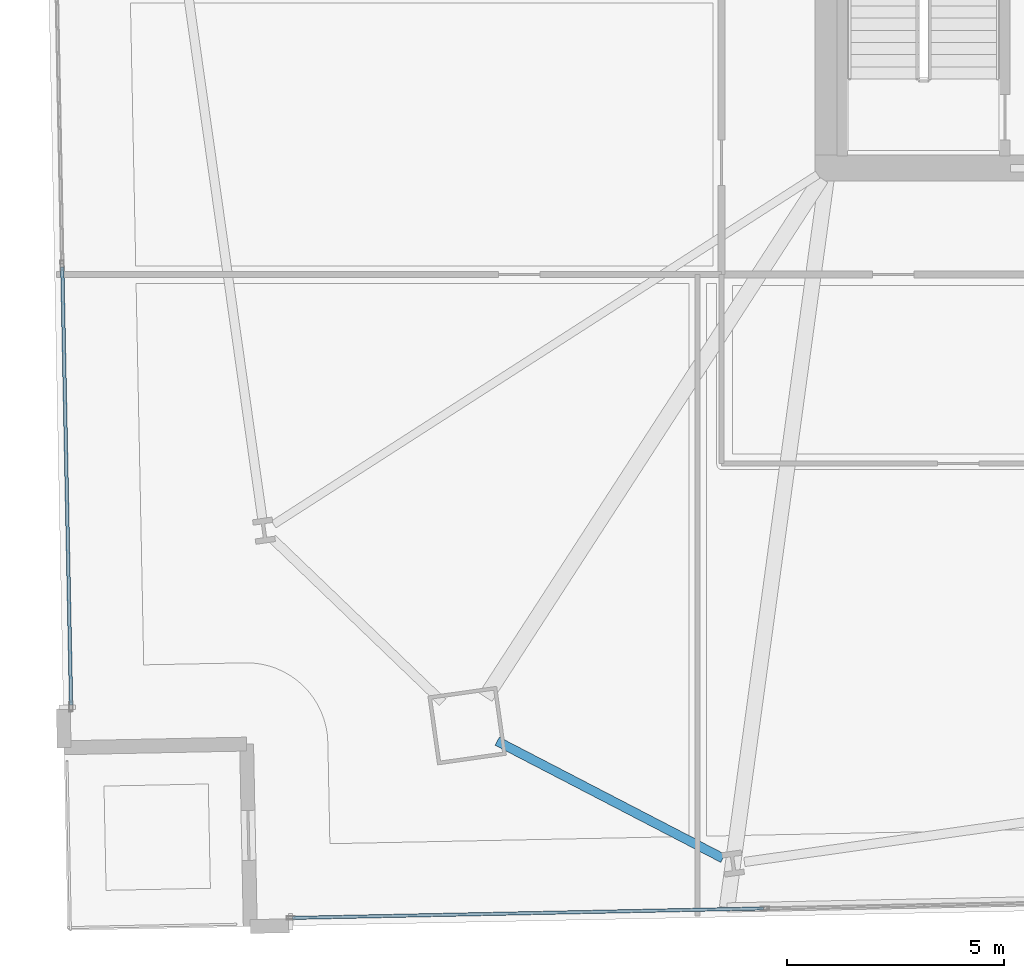
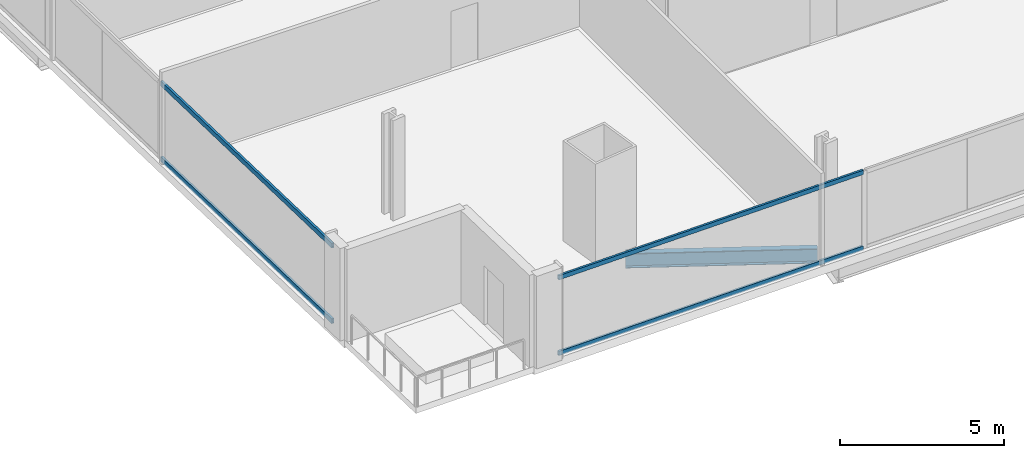
# One storey, part 3 of 35: 4 members, 1 beam, 2 elements without a shape of their own.
"""IFC4 building model written with IfcOpenShell, lengths in metres."""

from ifc_helpers import new_model, si_unit, direction, frame, origin, origin_2d, place, context, subcontext, project, spatial, hollow_rectangle, i_section, extrude, material, material_profile, profile_set, type_object, element, aggregate, save


model = new_model("IFC4")

# Units and contexts
model_context = context("Model", 3, precision=1e-05, world=origin(), true_north=direction((0.0, 1.0)))
body_context = subcontext(model_context, "Body", "Model", "MODEL_VIEW")
ifc_project = project(units=[si_unit("LENGTHUNIT", "METRE"), si_unit("AREAUNIT", "SQUARE_METRE"), si_unit("VOLUMEUNIT", "CUBIC_METRE"), si_unit("PLANEANGLEUNIT", "RADIAN"), si_unit("MASSUNIT", "GRAM", prefix="KILO")], contexts=[model_context])

# Site, building, storey
site_placement = place(None, origin())
site = spatial("IfcSite", under=ifc_project, at=site_placement, CompositionType="ELEMENT")
building_placement = place(site_placement, origin())
building = spatial("IfcBuilding", under=site, at=building_placement, Name="Haldenkirk Collegiate Tower", CompositionType="ELEMENT")
storey_placement = place(building_placement, frame((0.0, 0.0, 32.699951171875)))
storey = spatial("IfcBuildingStorey", under=building, at=storey_placement, Name="L06", CompositionType="ELEMENT", Elevation=32.699951171875)

# Beam
ifc_material_1 = material(Name="Steel ASTM A992 Grade 50", Category="steel")
ifc_material_profile_1 = material_profile(ifc_material_1, i_section(OverallWidth=0.2119140625, OverallDepth=0.5439453125, WebThickness=0.01318359375, FlangeThickness=0.021240234375, at=origin_2d()), Name="W21X83")
ifc_profile_set_1 = profile_set([ifc_material_profile_1], Name="Steel ASTM A992 Grade 50")
beam_type = type_object("IfcBeamType", Name="BM-SPANDREL-W21X83", PredefinedType="SPANDREL", material=ifc_profile_set_1)
beam_placement = place(storey_placement, frame((19.388671875, 4.8125, -0.58203125), z_axis=(0.887640153988, -0.460537682528, 0.0), x_axis=(0.460537682528, 0.887640153988, 0.0)))
element("IfcBeam", 1, at=beam_placement, inside=storey, type_object=beam_type, Name="L06 perimeter spandrel beam 01", PredefinedType="SPANDREL", context=body_context, shape_type="SweptSolid", body=[
    extrude(i_section(OverallWidth=0.2119140625, OverallDepth=0.5439453125, WebThickness=0.01318359375, FlangeThickness=0.021240234375, at=origin_2d()), origin(), (0.0, 0.0, 1.0), 5.848876953125),
])

# Curtain wall, members
ifc_material_2 = material(Name="Anodised architectural bronze aluminium", Category="aluminium")
curtain_wall_type_1 = type_object("IfcCurtainWallType", Name="CW-SYS2-CONCAVE", PredefinedType="USERDEFINED", material=ifc_material_2)
curtain_wall_1_placement = place(storey_placement, origin())
curtain_wall_1 = element("IfcCurtainWall", 2, at=curtain_wall_1_placement, inside=storey, type_object=curtain_wall_type_1, Name="L06 South concave recessed bronze-anodised curtain wall", ObjectType="UNITISED CURTAIN WALL", PredefinedType="USERDEFINED")
ifc_material_profile_2 = material_profile(ifc_material_2, hollow_rectangle(XDim=0.074951171875, YDim=0.159912109375, WallThickness=0.0048828125, at=origin_2d()), Name="CW-TRN-02")
ifc_profile_set_2 = profile_set([ifc_material_profile_2], Name="Anodised architectural bronze aluminium")
member_type_1 = type_object("IfcMemberType", Name="CW-TRN-02", PredefinedType="USERDEFINED", material=ifc_profile_set_2)
member_1_placement = place(storey_placement, frame((25.512939453125, 0.964599609375, 0.03759765625), z_axis=(-0.9997985439, -0.020071661994, 0.0), x_axis=(0.020071661994, -0.9997985439, 0.0)))
member_1 = element("IfcMember", 3, at=member_1_placement, type_object=member_type_1, Name="CW-02 transom 4.1", ObjectType="TRANSOM", PredefinedType="USERDEFINED", context=body_context, shape_type="SweptSolid", body=[
    extrude(hollow_rectangle(XDim=0.074951171875, YDim=0.159912109375, WallThickness=0.0048828125, at=origin_2d()), origin(), (0.0, 0.0, 1.0), 10.837646484375),
])
member_2_placement = place(storey_placement, frame((25.512939453125, 0.964599609375, 2.853515625), z_axis=(-0.9997985439, -0.020071661994, 0.0), x_axis=(0.020071661994, -0.9997985439, 0.0)))
member_2 = element("IfcMember", 4, at=member_2_placement, type_object=member_type_1, Name="CW-02 transom 4.2", ObjectType="TRANSOM", PredefinedType="USERDEFINED", context=body_context, shape_type="SweptSolid", body=[
    extrude(hollow_rectangle(XDim=0.074951171875, YDim=0.159912109375, WallThickness=0.0048828125, at=origin_2d()), origin(), (0.0, 0.0, 1.0), 10.837646484375),
])
aggregate(curtain_wall_1, [member_1, member_2])

curtain_wall_type_2 = type_object("IfcCurtainWallType", Name="CW-SYS1-CONVEX-LOW", PredefinedType="USERDEFINED", material=ifc_material_2)
curtain_wall_2_placement = place(storey_placement, origin())
curtain_wall_2 = element("IfcCurtainWall", 5, at=curtain_wall_2_placement, inside=storey, type_object=curtain_wall_type_2, Name="L06 Lower tower convex bronze-framed unitised curtain wall", ObjectType="UNITISED CURTAIN WALL", PredefinedType="USERDEFINED")
ifc_material_profile_3 = material_profile(ifc_material_2, hollow_rectangle(XDim=0.080078125, YDim=0.179931640625, WallThickness=0.0048828125, at=origin_2d()), Name="CW-TRN-1A")
ifc_profile_set_3 = profile_set([ifc_material_profile_3], Name="Anodised architectural bronze aluminium")
member_type_2 = type_object("IfcMemberType", Name="CW-TRN-1A", PredefinedType="USERDEFINED", material=ifc_profile_set_3)
member_3_placement = place(storey_placement, frame((9.583251953125, 5.645751953125, 0.0400390625), z_axis=(-0.020078802152, 0.999798400531, 0.0), x_axis=(-0.999798400531, -0.020078802152, 0.0)))
member_3 = element("IfcMember", 6, at=member_3_placement, type_object=member_type_2, Name="CW-1A transom 1.1", ObjectType="TRANSOM", PredefinedType="USERDEFINED", context=body_context, shape_type="SweptSolid", body=[
    extrude(hollow_rectangle(XDim=0.080078125, YDim=0.179931640625, WallThickness=0.0048828125, at=origin_2d()), origin(), (0.0, 0.0, 1.0), 10.079833984375),
])
member_4_placement = place(storey_placement, frame((9.583251953125, 5.645751953125, 2.85107421875), z_axis=(-0.020078802152, 0.999798400531, 0.0), x_axis=(-0.999798400531, -0.020078802152, 0.0)))
member_4 = element("IfcMember", 7, at=member_4_placement, type_object=member_type_2, Name="CW-1A transom 1.2", ObjectType="TRANSOM", PredefinedType="USERDEFINED", context=body_context, shape_type="SweptSolid", body=[
    extrude(hollow_rectangle(XDim=0.080078125, YDim=0.179931640625, WallThickness=0.0048828125, at=origin_2d()), origin(), (0.0, 0.0, 1.0), 10.079833984375),
])
aggregate(curtain_wall_2, [member_3, member_4])

save(model, "model.ifc")
